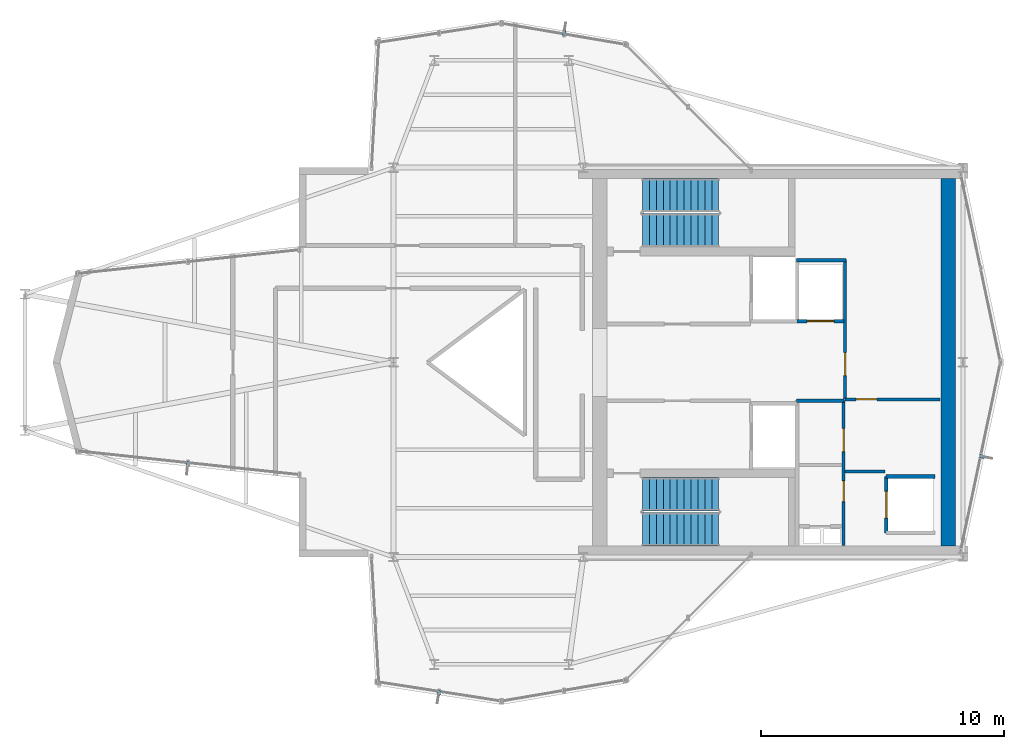
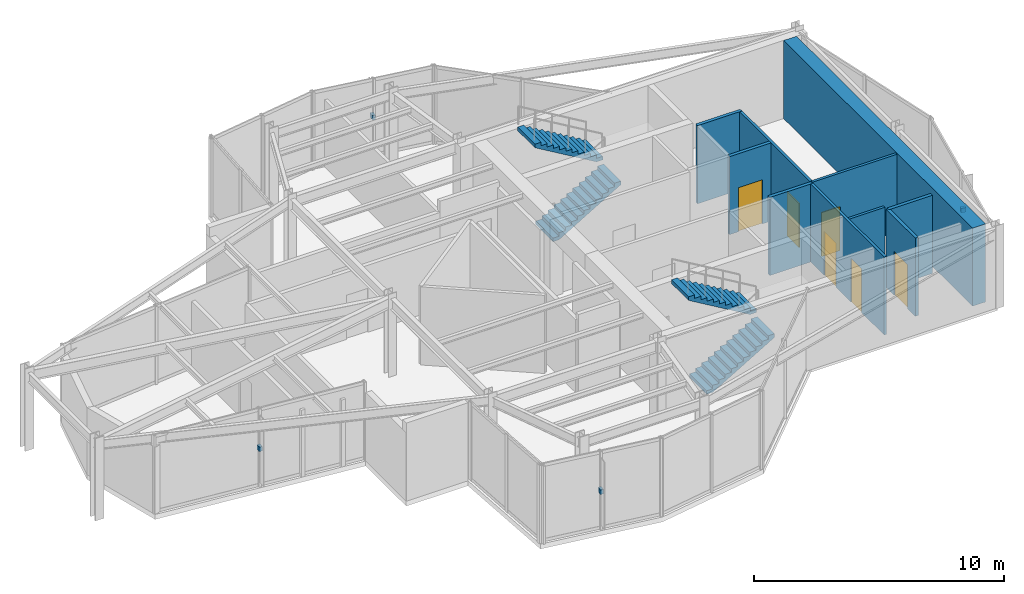
# One storey, part 12 of 13: 10 walls, 6 doors, 4 discrete accessories, 4 stair flights, 6 openings, 2 elements without a shape of their own.
"""IFC4 building model written with IfcOpenShell, lengths in metres."""

from ifc_helpers import new_model, si_unit, direction, frame, frame_2d, origin, origin_2d, place, context, subcontext, project, spatial, polyline, rectangle, outline, extrude, material, layer, layer_set, type_object, element, fill, aggregate, save


model = new_model("IFC4")

# Units and contexts
model_context = context("Model", 3, precision=1e-05, world=origin(), true_north=direction((0.0, 1.0)))
body_context = subcontext(model_context, "Body", "Model", "MODEL_VIEW")
ifc_project = project(units=[si_unit("LENGTHUNIT", "METRE"), si_unit("AREAUNIT", "SQUARE_METRE"), si_unit("VOLUMEUNIT", "CUBIC_METRE"), si_unit("PLANEANGLEUNIT", "RADIAN"), si_unit("MASSUNIT", "GRAM", prefix="KILO")], contexts=[model_context])

# Site, building, storey
site_placement = place(None, origin())
site = spatial("IfcSite", under=ifc_project, at=site_placement, CompositionType="ELEMENT")
building_placement = place(site_placement, origin())
building = spatial("IfcBuilding", under=site, at=building_placement, Name="Veymaron Broadcast Tower", CompositionType="ELEMENT")
storey_placement = place(building_placement, frame((0.0, 0.0, 303.300048828125)))
storey = spatial("IfcBuildingStorey", under=building, at=storey_placement, Name="L71", CompositionType="ELEMENT", Elevation=303.300048828125)

# Wall, opening, door
ifc_material_1 = material(Name="Gypsum fireboard and steel stud framing", Category="steel")
ifc_layer_1 = layer(ifc_material_1, 0.14990234375)
ifc_layer_set_1 = layer_set([ifc_layer_1], Name="Gypsum fireboard and steel stud framing")
wall_type_1 = type_object("IfcWallType", Name="WALL-FIRE-150", PredefinedType="PARTITIONING", material=ifc_layer_set_1)
wall_1_placement = place(storey_placement, frame((47.7900390625, 25.695068359375, 0.0), z_axis=(0.0, 0.0, 1.0), x_axis=(1.0, 0.0, 0.0)))
wall_1 = element("IfcWall", 1, at=wall_1_placement, inside=storey, type_object=wall_type_1, Name="L71 partition IW-L71-SHS-SL-1", PredefinedType="PARTITIONING", context=body_context, shape_type="SweptSolid", body=[
    extrude(rectangle(XDim=1.919921875, YDim=0.14990234375, at=frame_2d((0.9599609375, 0.0))), origin(), (0.0, 0.0, 1.0), 3.81005859375),
])
opening_1_placement = place(wall_1_placement, frame((0.409912109375, 0.0, 0.0)))
opening_1 = element("IfcOpeningElement", 2, at=opening_1_placement, cuts=wall_1, Name="Opening LD", PredefinedType="OPENING", context=body_context, shape_type="SweptSolid", body=[
    extrude(rectangle(XDim=1.10009765625, YDim=2.14990234375, at=frame_2d((0.550048828125, 1.074951171875))), frame((0.0, 0.0849609375, 0.0), z_axis=(0.0, -1.0, 0.0), x_axis=(1.0, 0.0, 0.0)), (0.0, 0.0, 1.0), 0.169921875),
])
ifc_material_2 = material(Name="Brushed stainless steel AISI 304", Category="steel")
door_type_1 = type_object("IfcDoorType", Name="DOOR-LIFT-1100", OperationType="DOUBLE_DOOR_SLIDING", PredefinedType="DOOR", material=ifc_material_2)
door_1_placement = place(opening_1_placement, frame((1.10009765625, 0.0, 0.0), z_axis=(0.0, 0.0, 1.0), x_axis=(-1.0, 0.0, 0.0)))
door_1 = element("IfcDoor", 3, at=door_1_placement, inside=storey, type_object=door_type_1, Name="L71 door LD-L71-SL-1", OperationType="DOUBLE_DOOR_SLIDING", OverallHeight=2.14990234375, OverallWidth=1.10009765625, PredefinedType="DOOR", context=body_context, shape_type="SweptSolid", body=[
    extrude(rectangle(XDim=1.10009765625, YDim=2.14990234375, at=frame_2d((0.550048828125, 1.074951171875))), frame((0.0, 0.02490234375, 0.0), z_axis=(0.0, -1.0, 0.0), x_axis=(1.0, 0.0, 0.0)), (0.0, 0.0, 1.0), 0.050048828125),
])
fill(opening_1, door_1)

wall_2_placement = place(storey_placement, frame((51.445068359375, 16.989990234375, 0.0), z_axis=(0.0, 0.0, 1.0), x_axis=(0.0, 1.0, 0.0)))
wall_2 = element("IfcWall", 4, at=wall_2_placement, inside=storey, type_object=wall_type_1, Name="L71 partition IW-L71-SHW-PH1", PredefinedType="PARTITIONING", context=body_context, shape_type="SweptSolid", body=[
    extrude(rectangle(XDim=2.320068359375, YDim=0.14990234375, at=frame_2d((1.16015625, 0.0))), origin(), (0.0, 0.0, 1.0), 3.81005859375),
])
opening_2_placement = place(wall_2_placement, frame((0.610107421875, 0.0, 0.0)))
opening_2 = element("IfcOpeningElement", 5, at=opening_2_placement, cuts=wall_2, Name="Opening LD", PredefinedType="OPENING", context=body_context, shape_type="SweptSolid", body=[
    extrude(rectangle(XDim=1.10009765625, YDim=2.14990234375, at=frame_2d((0.550048828125, 1.074951171875))), frame((0.0, 0.0849609375, 0.0), z_axis=(0.0, -1.0, 0.0), x_axis=(1.0, 0.0, 0.0)), (0.0, 0.0, 1.0), 0.169921875),
])
door_2_placement = place(opening_2_placement, frame((1.10009765625, 0.0, 0.0), z_axis=(0.0, 0.0, 1.0), x_axis=(-1.0, 0.0, 0.0)))
door_2 = element("IfcDoor", 6, at=door_2_placement, inside=storey, type_object=door_type_1, Name="L71 door LD-L71-PH1", OperationType="DOUBLE_DOOR_SLIDING", OverallHeight=2.14990234375, OverallWidth=1.10009765625, PredefinedType="DOOR", context=body_context, shape_type="SweptSolid", body=[
    extrude(rectangle(XDim=1.10009765625, YDim=2.14990234375, at=frame_2d((0.550048828125, 1.074951171875))), frame((0.0, 0.02490234375, 0.0), z_axis=(0.0, -1.0, 0.0), x_axis=(1.0, 0.0, 0.0)), (0.0, 0.0, 1.0), 0.050048828125),
])
fill(opening_2, door_2)

# Walls
wall_3_placement = place(storey_placement, frame((51.445068359375, 19.31005859375, 0.0), z_axis=(0.0, 0.0, 1.0), x_axis=(1.0, 0.0, 0.0)))
element("IfcWall", 7, at=wall_3_placement, inside=storey, type_object=wall_type_1, Name="L71 partition IW-L71-SHN-PH1", PredefinedType="PARTITIONING", context=body_context, shape_type="SweptSolid", body=[
    extrude(rectangle(XDim=2.014892578125, YDim=0.14990234375, at=frame_2d((1.00732421875, 0.0))), origin(), (0.0, 0.0, 1.0), 3.81005859375),
])
wall_4_placement = place(storey_placement, frame((47.760009765625, 22.425048828125, 0.0), z_axis=(0.0, 0.0, 1.0), x_axis=(1.0, 0.0, 0.0)))
element("IfcWall", 8, at=wall_4_placement, inside=storey, type_object=wall_type_1, Name="L71 partition IW-L71-SM-N", PredefinedType="PARTITIONING", context=body_context, shape_type="SweptSolid", body=[
    extrude(rectangle(XDim=1.9599609375, YDim=0.14990234375, at=frame_2d((0.97998046875, 0.0))), origin(), (0.0, 0.0, 1.0), 3.81005859375),
])
wall_5_placement = place(storey_placement, frame((47.760009765625, 28.199951171875, 0.0), z_axis=(0.0, 0.0, 1.0), x_axis=(1.0, 0.0, 0.0)))
element("IfcWall", 9, at=wall_5_placement, inside=storey, type_object=wall_type_1, Name="L71 partition IW-L71-F3-SW", PredefinedType="PARTITIONING", context=body_context, shape_type="SweptSolid", body=[
    extrude(rectangle(XDim=2.0400390625, YDim=0.14990234375, at=frame_2d((1.02001953125, 0.0))), origin(), (0.0, 0.0, 1.0), 3.81005859375),
])

# Wall, openings, doors
ifc_material_3 = material(Name="Acoustic gypsum board and galvanized stud", Category="gypsum")
ifc_layer_2 = layer(ifc_material_3, 0.1201171875)
ifc_layer_set_2 = layer_set([ifc_layer_2], Name="Acoustic gypsum board and galvanized stud")
wall_type_2 = type_object("IfcWallType", Name="WALL-PART-120", PredefinedType="PARTITIONING", material=ifc_layer_set_2)
wall_6_placement = place(storey_placement, frame((49.699951171875, 16.47998046875, 0.0), z_axis=(0.0, 0.0, 1.0), x_axis=(0.0, 1.0, 0.0)))
wall_6 = element("IfcWall", 10, at=wall_6_placement, inside=storey, type_object=wall_type_2, Name="L71 partition IW-L71-SM-E", PredefinedType="PARTITIONING", context=body_context, shape_type="SweptSolid", body=[
    extrude(rectangle(XDim=5.945068359375, YDim=0.1201171875, at=frame_2d((2.97265625, 0.0))), origin(), (0.0, 0.0, 1.0), 3.81005859375),
])
opening_3_placement = place(wall_6_placement, frame((1.800048828125, 0.0, 0.0)))
opening_3 = element("IfcOpeningElement", 11, at=opening_3_placement, cuts=wall_6, Name="Opening ID-WC1", PredefinedType="OPENING", context=body_context, shape_type="SweptSolid", body=[
    extrude(rectangle(XDim=0.85009765625, YDim=2.14990234375, at=frame_2d((0.425048828125, 1.074951171875))), frame((0.0, 0.070068359375, 0.0), z_axis=(0.0, -1.0, 0.0), x_axis=(1.0, 0.0, 0.0)), (0.0, 0.0, 1.0), 0.14013671875),
])
opening_4_placement = place(wall_6_placement, frame((3.85009765625, 0.0, 0.0)))
opening_4 = element("IfcOpeningElement", 12, at=opening_4_placement, cuts=wall_6, Name="Opening ID-RM1", PredefinedType="OPENING", context=body_context, shape_type="SweptSolid", body=[
    extrude(rectangle(XDim=0.949951171875, YDim=2.14990234375, at=frame_2d((0.47509765625, 1.074951171875))), frame((0.0, 0.070068359375, 0.0), z_axis=(0.0, -1.0, 0.0), x_axis=(1.0, 0.0, 0.0)), (0.0, 0.0, 1.0), 0.14013671875),
])
ifc_material_4 = material(Name="Moisture-resistant high-pressure laminate timber", Category="wood")
door_type_2 = type_object("IfcDoorType", Name="DOOR-INT-850", OperationType="NOTDEFINED", PredefinedType="DOOR", material=ifc_material_4)
door_3_placement = place(opening_3_placement, frame((0.85009765625, 0.0, 0.0), z_axis=(0.0, 0.0, 1.0), x_axis=(-1.0, 0.0, 0.0)))
door_3 = element("IfcDoor", 13, at=door_3_placement, inside=storey, type_object=door_type_2, Name="L71 door DR-L71-SWC", OperationType="SINGLE_SWING_LEFT", OverallHeight=2.14990234375, OverallWidth=0.85009765625, PredefinedType="DOOR", context=body_context, shape_type="SweptSolid", body=[
    extrude(rectangle(XDim=0.85009765625, YDim=2.14990234375, at=frame_2d((0.425048828125, 1.074951171875))), frame((0.0, 0.02490234375, 0.0), z_axis=(0.0, -1.0, 0.0), x_axis=(1.0, 0.0, 0.0)), (0.0, 0.0, 1.0), 0.050048828125),
])
fill(opening_3, door_3)
ifc_material_5 = material(Name="Acoustic solid-core European oak veneer timber", Category="wood")
door_type_3 = type_object("IfcDoorType", Name="DOOR-INT-950", OperationType="NOTDEFINED", PredefinedType="DOOR", material=ifc_material_5)
door_4_placement = place(opening_4_placement, frame((0.949951171875, 0.0, 0.0), z_axis=(0.0, 0.0, 1.0), x_axis=(-1.0, 0.0, 0.0)))
door_4 = element("IfcDoor", 14, at=door_4_placement, inside=storey, type_object=door_type_3, Name="L71 door DR-L71-AWC", OperationType="SINGLE_SWING_RIGHT", OverallHeight=2.14990234375, OverallWidth=0.949951171875, PredefinedType="DOOR", context=body_context, shape_type="SweptSolid", body=[
    extrude(rectangle(XDim=0.949951171875, YDim=2.14990234375, at=frame_2d((0.47509765625, 1.074951171875))), frame((0.0, 0.02490234375, 0.0), z_axis=(0.0, -1.0, 0.0), x_axis=(1.0, 0.0, 0.0)), (0.0, 0.0, 1.0), 0.050048828125),
])
fill(opening_4, door_4)

# Wall, opening, door
wall_7_placement = place(storey_placement, frame((49.760009765625, 22.47998046875, 0.0), z_axis=(0.0, 0.0, 1.0), x_axis=(1.0, 0.0, 0.0)))
wall_7 = element("IfcWall", 15, at=wall_7_placement, inside=storey, type_object=wall_type_2, Name="L71 partition IW-L71-F3S-N", PredefinedType="PARTITIONING", context=body_context, shape_type="SweptSolid", body=[
    extrude(rectangle(XDim=3.89990234375, YDim=0.1201171875, at=frame_2d((1.949951171875, 0.0))), origin(), (0.0, 0.0, 1.0), 3.81005859375),
])
opening_5_placement = place(wall_7_placement, frame((0.449951171875, 0.0, 0.0)))
opening_5 = element("IfcOpeningElement", 16, at=opening_5_placement, cuts=wall_7, Name="Opening ID-WC1", PredefinedType="OPENING", context=body_context, shape_type="SweptSolid", body=[
    extrude(rectangle(XDim=0.85009765625, YDim=2.14990234375, at=frame_2d((0.425048828125, 1.074951171875))), frame((0.0, 0.070068359375, 0.0), z_axis=(0.0, -1.0, 0.0), x_axis=(1.0, 0.0, 0.0)), (0.0, 0.0, 1.0), 0.14013671875),
])
door_5_placement = place(opening_5_placement, frame((0.85009765625, 0.0, 0.0), z_axis=(0.0, 0.0, 1.0), x_axis=(-1.0, 0.0, 0.0)))
door_5 = element("IfcDoor", 17, at=door_5_placement, inside=storey, type_object=door_type_2, Name="L71 door DR-L71-F3S", OperationType="SINGLE_SWING_LEFT", OverallHeight=2.14990234375, OverallWidth=0.85009765625, PredefinedType="DOOR", context=body_context, shape_type="SweptSolid", body=[
    extrude(rectangle(XDim=0.85009765625, YDim=2.14990234375, at=frame_2d((0.425048828125, 1.074951171875))), frame((0.0, 0.02490234375, 0.0), z_axis=(0.0, -1.0, 0.0), x_axis=(1.0, 0.0, 0.0)), (0.0, 0.0, 1.0), 0.050048828125),
])
fill(opening_5, door_5)

# Wall
wall_8_placement = place(storey_placement, frame((49.760009765625, 19.52001953125, 0.0), z_axis=(0.0, 0.0, 1.0), x_axis=(1.0, 0.0, 0.0)))
element("IfcWall", 18, at=wall_8_placement, inside=storey, type_object=wall_type_2, Name="L71 partition IW-L71-F3S-S", PredefinedType="PARTITIONING", context=body_context, shape_type="SweptSolid", body=[
    extrude(rectangle(XDim=1.639892578125, YDim=0.1201171875, at=frame_2d((0.81982421875, 0.0))), origin(), (0.0, 0.0, 1.0), 3.81005859375),
])

# Wall, opening, door
wall_9_placement = place(storey_placement, frame((49.760009765625, 22.5, 0.0), z_axis=(0.0, 0.0, 1.0), x_axis=(0.0, 1.0, 0.0)))
wall_9 = element("IfcWall", 19, at=wall_9_placement, inside=storey, type_object=wall_type_2, Name="L71 partition IW-L71-F3-W", PredefinedType="PARTITIONING", context=body_context, shape_type="SweptSolid", body=[
    extrude(rectangle(XDim=5.719970703125, YDim=0.1201171875, at=frame_2d((2.85986328125, 0.0))), origin(), (0.0, 0.0, 1.0), 3.81005859375),
])
opening_6_placement = place(wall_9_placement, frame((0.949951171875, 0.0, 0.0)))
opening_6 = element("IfcOpeningElement", 20, at=opening_6_placement, cuts=wall_9, Name="Opening ID-RM1", PredefinedType="OPENING", context=body_context, shape_type="SweptSolid", body=[
    extrude(rectangle(XDim=0.949951171875, YDim=2.14990234375, at=frame_2d((0.47509765625, 1.074951171875))), frame((0.0, 0.070068359375, 0.0), z_axis=(0.0, -1.0, 0.0), x_axis=(1.0, 0.0, 0.0)), (0.0, 0.0, 1.0), 0.14013671875),
])
door_6_placement = place(opening_6_placement, origin())
door_6 = element("IfcDoor", 21, at=door_6_placement, inside=storey, type_object=door_type_3, Name="L71 door DR-L71-F3A", OperationType="SINGLE_SWING_LEFT", OverallHeight=2.14990234375, OverallWidth=0.949951171875, PredefinedType="DOOR", context=body_context, shape_type="SweptSolid", body=[
    extrude(rectangle(XDim=0.949951171875, YDim=2.14990234375, at=frame_2d((0.47509765625, 1.074951171875))), frame((0.0, 0.02490234375, 0.0), z_axis=(0.0, -1.0, 0.0), x_axis=(1.0, 0.0, 0.0)), (0.0, 0.0, 1.0), 0.050048828125),
])
fill(opening_6, door_6)

# Wall
ifc_material_6 = material(Name="Concrete C50/60", Category="concrete")
ifc_layer_3 = layer(ifc_material_6, 0.60009765625)
ifc_layer_set_3 = layer_set([ifc_layer_3], Name="Concrete C50/60")
wall_type_3 = type_object("IfcWallType", Name="WALL-SHEAR-600", PredefinedType="SHEAR", material=ifc_layer_set_3)
wall_10_placement = place(storey_placement, frame((54.0, 16.449951171875, 0.0), z_axis=(0.0, 0.0, 1.0), x_axis=(0.0, 1.0, 0.0)))
element("IfcWall", 22, at=wall_10_placement, inside=storey, type_object=wall_type_3, Name="L71 Core Wall east shear", PredefinedType="SHEAR", context=body_context, shape_type="SweptSolid", body=[
    extrude(rectangle(XDim=15.10009765625, YDim=0.60009765625, at=frame_2d((7.550048828125, 0.0))), origin(), (0.0, 0.0, 1.0), 3.81005859375),
])

# Stair, stair flights
stair_type_1 = type_object("IfcStairType", Name="STAIR-CORE-1", PredefinedType="HALF_TURN_STAIR", material=ifc_material_6)
stair_1_placement = place(storey_placement, origin())
stair_1 = element("IfcStair", 23, at=stair_1_placement, inside=storey, type_object=stair_type_1, Name="L71 North protected dog-leg exit stair ST1", PredefinedType="HALF_TURN_STAIR")
ifc_material_7 = material(Name="Precast concrete C50/60", Category="concrete")
stair_flight_type = type_object("IfcStairFlightType", Name="FLT-CORE-RC", PredefinedType="STRAIGHT", material=ifc_material_7)
stair_flight_1_placement = place(storey_placement, frame((41.429931640625, 29.419921875, 0.0), z_axis=(0.0, 0.0, 1.0), x_axis=(1.0, 0.0, 0.0)))
stair_flight_1 = element("IfcStairFlight", 24, at=stair_flight_1_placement, type_object=stair_flight_type, Name="ST1 flight 1", NumberOfRisers=12, NumberOfTreads=11, PredefinedType="STRAIGHT", RiserHeight=0.16875, TreadLength=0.285, context=body_context, shape_type="SweptSolid", body=[
    extrude(outline(polyline([(0.0, 0.0), (0.0, 0.168701171875), (0.284912109375, 0.168701171875), (0.284912109375, 0.33740234375), (0.570068359375, 0.33740234375), (0.570068359375, 0.50634765625), (0.85498046875, 0.50634765625), (0.85498046875, 0.675048828125), (1.139892578125, 0.675048828125), (1.139892578125, 0.84375), (1.425048828125, 0.84375), (1.425048828125, 1.012451171875), (1.7099609375, 1.012451171875), (1.7099609375, 1.18115234375), (1.9951171875, 1.18115234375), (1.9951171875, 1.35009765625), (2.280029296875, 1.35009765625), (2.280029296875, 1.518798828125), (2.56494140625, 1.518798828125), (2.56494140625, 1.6875), (2.85009765625, 1.6875), (2.85009765625, 1.856201171875), (3.135009765625, 1.856201171875), (3.135009765625, 2.02490234375), (3.135009765625, 1.68212890625), (0.294189453125, 0.0), (0.0, 0.0)])), frame((0.0, 0.68994140625, 0.0), z_axis=(0.0, -1.0, 0.0), x_axis=(1.0, 0.0, 0.0)), (0.0, 0.0, 1.0), 1.3798828125),
])
stair_flight_2_placement = place(storey_placement, frame((44.56494140625, 30.860107421875, 2.02490234375), z_axis=(0.0, 0.0, 1.0), x_axis=(-1.0, 0.0, 0.0)))
stair_flight_2 = element("IfcStairFlight", 25, at=stair_flight_2_placement, type_object=stair_flight_type, Name="ST1 flight 2", NumberOfRisers=12, NumberOfTreads=11, PredefinedType="STRAIGHT", RiserHeight=0.16875, TreadLength=0.285, context=body_context, shape_type="SweptSolid", body=[
    extrude(outline(polyline([(0.0, 0.0), (0.0, 0.168701171875), (0.284912109375, 0.168701171875), (0.284912109375, 0.33740234375), (0.570068359375, 0.33740234375), (0.570068359375, 0.50634765625), (0.85498046875, 0.50634765625), (0.85498046875, 0.675048828125), (1.139892578125, 0.675048828125), (1.139892578125, 0.84375), (1.425048828125, 0.84375), (1.425048828125, 1.012451171875), (1.7099609375, 1.012451171875), (1.7099609375, 1.18115234375), (1.9951171875, 1.18115234375), (1.9951171875, 1.35009765625), (2.280029296875, 1.35009765625), (2.280029296875, 1.518798828125), (2.56494140625, 1.518798828125), (2.56494140625, 1.6875), (2.85009765625, 1.6875), (2.85009765625, 1.856201171875), (3.135009765625, 1.856201171875), (3.135009765625, 2.02490234375), (3.135009765625, 1.68212890625), (0.294189453125, 0.0), (0.0, 0.0)])), frame((0.0, 0.68994140625, 0.0), z_axis=(0.0, -1.0, 0.0), x_axis=(1.0, 0.0, 0.0)), (0.0, 0.0, 1.0), 1.3798828125),
])
aggregate(stair_1, [stair_flight_1, stair_flight_2])

stair_type_2 = type_object("IfcStairType", Name="STAIR-CORE-2", PredefinedType="HALF_TURN_STAIR", material=ifc_material_6)
stair_2_placement = place(storey_placement, origin())
stair_2 = element("IfcStair", 26, at=stair_2_placement, inside=storey, type_object=stair_type_2, Name="L71 South protected dog-leg exit stair ST2", PredefinedType="HALF_TURN_STAIR")
stair_flight_3_placement = place(storey_placement, frame((41.429931640625, 17.139892578125, 0.0), z_axis=(0.0, 0.0, 1.0), x_axis=(1.0, 0.0, 0.0)))
stair_flight_3 = element("IfcStairFlight", 27, at=stair_flight_3_placement, type_object=stair_flight_type, Name="ST2 flight 1", NumberOfRisers=12, NumberOfTreads=11, PredefinedType="STRAIGHT", RiserHeight=0.16875, TreadLength=0.285, context=body_context, shape_type="SweptSolid", body=[
    extrude(outline(polyline([(0.0, 0.0), (0.0, 0.168701171875), (0.284912109375, 0.168701171875), (0.284912109375, 0.33740234375), (0.570068359375, 0.33740234375), (0.570068359375, 0.50634765625), (0.85498046875, 0.50634765625), (0.85498046875, 0.675048828125), (1.139892578125, 0.675048828125), (1.139892578125, 0.84375), (1.425048828125, 0.84375), (1.425048828125, 1.012451171875), (1.7099609375, 1.012451171875), (1.7099609375, 1.18115234375), (1.9951171875, 1.18115234375), (1.9951171875, 1.35009765625), (2.280029296875, 1.35009765625), (2.280029296875, 1.518798828125), (2.56494140625, 1.518798828125), (2.56494140625, 1.6875), (2.85009765625, 1.6875), (2.85009765625, 1.856201171875), (3.135009765625, 1.856201171875), (3.135009765625, 2.02490234375), (3.135009765625, 1.68212890625), (0.294189453125, 0.0), (0.0, 0.0)])), frame((0.0, 0.68994140625, 0.0), z_axis=(0.0, -1.0, 0.0), x_axis=(1.0, 0.0, 0.0)), (0.0, 0.0, 1.0), 1.3798828125),
])
stair_flight_4_placement = place(storey_placement, frame((44.56494140625, 18.580078125, 2.02490234375), z_axis=(0.0, 0.0, 1.0), x_axis=(-1.0, 0.0, 0.0)))
stair_flight_4 = element("IfcStairFlight", 28, at=stair_flight_4_placement, type_object=stair_flight_type, Name="ST2 flight 2", NumberOfRisers=12, NumberOfTreads=11, PredefinedType="STRAIGHT", RiserHeight=0.16875, TreadLength=0.285, context=body_context, shape_type="SweptSolid", body=[
    extrude(outline(polyline([(0.0, 0.0), (0.0, 0.168701171875), (0.284912109375, 0.168701171875), (0.284912109375, 0.33740234375), (0.570068359375, 0.33740234375), (0.570068359375, 0.50634765625), (0.85498046875, 0.50634765625), (0.85498046875, 0.675048828125), (1.139892578125, 0.675048828125), (1.139892578125, 0.84375), (1.425048828125, 0.84375), (1.425048828125, 1.012451171875), (1.7099609375, 1.012451171875), (1.7099609375, 1.18115234375), (1.9951171875, 1.18115234375), (1.9951171875, 1.35009765625), (2.280029296875, 1.35009765625), (2.280029296875, 1.518798828125), (2.56494140625, 1.518798828125), (2.56494140625, 1.6875), (2.85009765625, 1.6875), (2.85009765625, 1.856201171875), (3.135009765625, 1.856201171875), (3.135009765625, 2.02490234375), (3.135009765625, 1.68212890625), (0.294189453125, 0.0), (0.0, 0.0)])), frame((0.0, 0.68994140625, 0.0), z_axis=(0.0, -1.0, 0.0), x_axis=(1.0, 0.0, 0.0)), (0.0, 0.0, 1.0), 1.3798828125),
])
aggregate(stair_2, [stair_flight_3, stair_flight_4])

# Discrete accessories
ifc_material_8 = material(Name="Austenitic stainless steel AISI 316L", Category="steel")
ifc_layer_4 = layer(ifc_material_8, 0.1201171875)
ifc_layer_set_4 = layer_set([ifc_layer_4], Name="Austenitic stainless steel AISI 316L")
discrete_accessory_type = type_object("IfcDiscreteAccessoryType", Name="ACC-BRKT-SS1", PredefinedType="BRACKET", material=ifc_layer_set_4)
for number, where, z_axis, x_axis, name in (
    (29, (55.390380859375, 20.132080078125, 1.794921875), (0.0, 0.0, 1.0), (0.97844415586, -0.20651158288, 0.0), "CW-L71-E2-1 fin bracket 1"),
    (30, (38.210205078125, 37.548095703125, 1.794921875), (0.0, 0.0, 1.0), (0.168523787004, 0.985697587099, 0.0), "CW-L71-E6-1 fin bracket 1"),
    (31, (22.745361328125, 19.8095703125, 1.794921875), (0.0, 0.0, 1.0), (-0.106420260264, -0.994321239945, 0.0), "CW-L71-E14-1 fin bracket 1"),
    (32, (33.06298828125, 10.411865234375, 1.794921875), (0.0, 0.0, 1.0), (-0.153589482068, -0.988134743341, 0.0), "CW-L71-E18-1 fin bracket 1"),
):
    element("IfcDiscreteAccessory", number, at=place(storey_placement, frame(where, z_axis=z_axis, x_axis=x_axis)), inside=storey, type_object=discrete_accessory_type, Name=name, PredefinedType="BRACKET", context=body_context, shape_type="SweptSolid", body=[
        extrude(rectangle(XDim=0.219970703125, YDim=0.139892578125, at=origin_2d()), origin(), (0.0, 0.0, 1.0), 0.219970703125),
    ])

save(model, "model.ifc")
